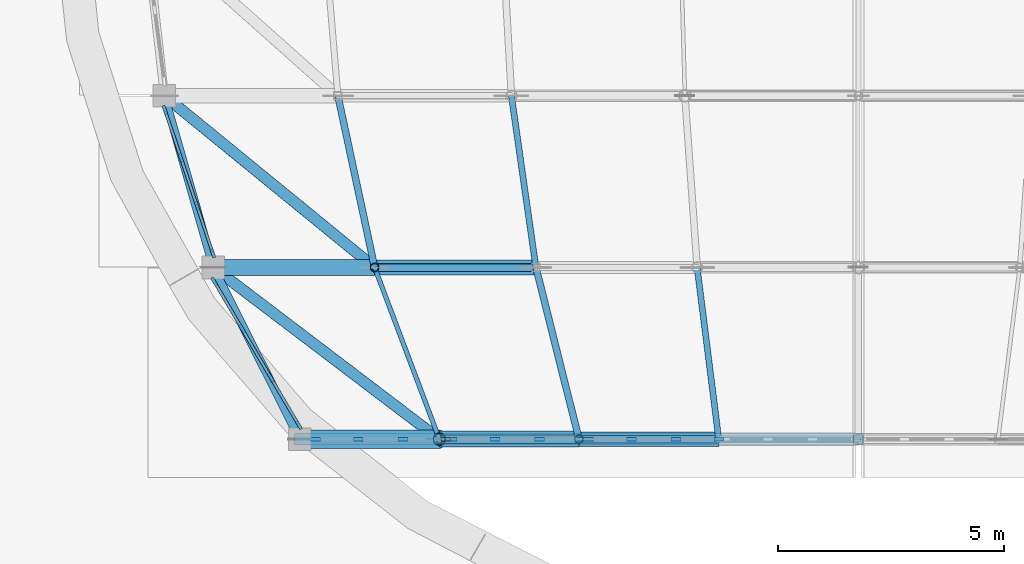
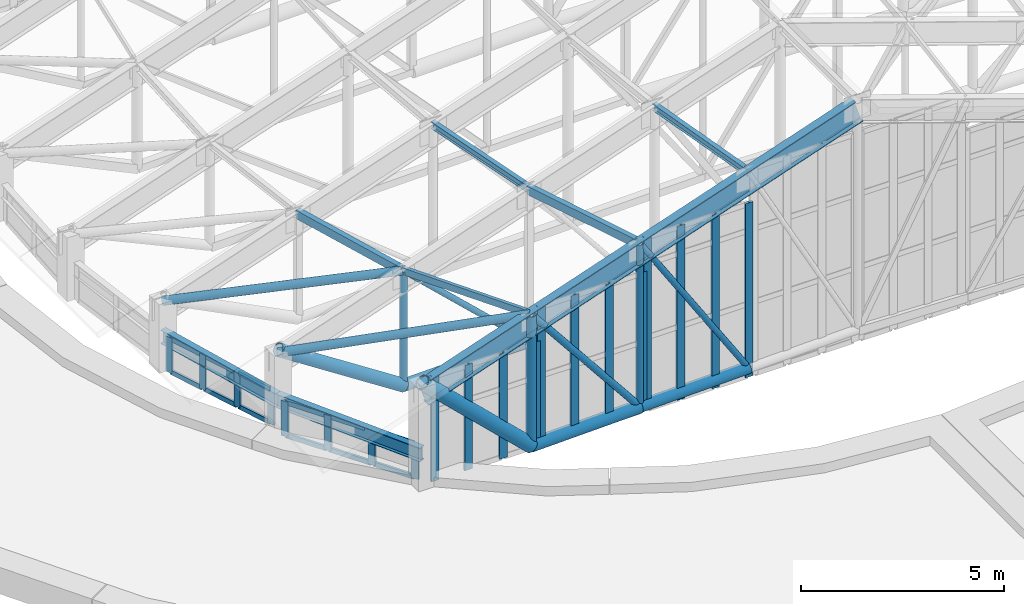
# One storey, part 10 of 105: 50 members, 3 beams, 5 elements without a shape of their own.
"""IFC4 building model written with IfcOpenShell, lengths in metres."""

from ifc_helpers import new_model, si_unit, direction, frame, origin, origin_2d, place, context, subcontext, project, spatial, rectangle, hollow_rectangle, hollow_circle, i_section, extrude, material, material_profile, profile_set, type_object, element, aggregate, save


model = new_model("IFC4")

# Units and contexts
model_context = context("Model", 3, precision=1e-05, world=origin(), true_north=direction((0.0, 1.0)))
body_context = subcontext(model_context, "Body", "Model", "MODEL_VIEW")
ifc_project = project(units=[si_unit("LENGTHUNIT", "METRE"), si_unit("AREAUNIT", "SQUARE_METRE"), si_unit("VOLUMEUNIT", "CUBIC_METRE"), si_unit("PLANEANGLEUNIT", "RADIAN"), si_unit("MASSUNIT", "GRAM", prefix="KILO")], contexts=[model_context])

# Site, building, storey
site_placement = place(None, origin())
site = spatial("IfcSite", under=ifc_project, at=site_placement, CompositionType="ELEMENT")
building_placement = place(site_placement, origin())
building = spatial("IfcBuilding", under=site, at=building_placement, Name="Corveleigh Park Community Centre", CompositionType="ELEMENT")
storey_placement = place(building_placement, frame((0.0, 0.0, 8.699951171875)))
storey = spatial("IfcBuildingStorey", under=building, at=storey_placement, Name="L02", CompositionType="ELEMENT", Elevation=8.699951171875)

# Beams
ifc_material_1 = material(Name="Steel S355", Category="steel")
ifc_material_profile_1 = material_profile(ifc_material_1, i_section(OverallWidth=0.1787109375, OverallDepth=0.409423828125, WebThickness=0.0087890625, FlangeThickness=0.014404296875, at=origin_2d()), Name="UKB 406x178x67", Category="steel")
ifc_profile_set_1 = profile_set([ifc_material_profile_1], Name="Steel S355")
beam_type_1 = type_object("IfcBeamType", Name="BM-STL-UKB406x67", PredefinedType="BEAM", material=ifc_profile_set_1)
beam_1_placement = place(storey_placement, frame((18.6318359375, 15.404541015625, 0.915283203125), z_axis=(-0.448916145361, 0.893573888626, 0.0), x_axis=(-0.893573888626, -0.448916145361, 0.0)))
element("IfcBeam", 1, at=beam_1_placement, inside=storey, type_object=beam_type_1, Name="V1 West Eave Tie Beam", PredefinedType="BEAM", context=body_context, shape_type="SweptSolid", body=[
    extrude(i_section(OverallWidth=0.1787109375, OverallDepth=0.409423828125, WebThickness=0.0087890625, FlangeThickness=0.014404296875, at=origin_2d()), origin(), (0.0, 0.0, 1.0), 4.242431640625),
])
beam_2_placement = place(storey_placement, frame((16.7236328125, 19.204833984375, 0.915283203125), z_axis=(-0.274336604371, 0.961633728351, 0.0), x_axis=(-0.961633728351, -0.274336604371, 0.0)))
element("IfcBeam", 2, at=beam_2_placement, inside=storey, type_object=beam_type_1, Name="V1 West Eave Tie Beam", PredefinedType="BEAM", context=body_context, shape_type="SweptSolid", body=[
    extrude(i_section(OverallWidth=0.1787109375, OverallDepth=0.409423828125, WebThickness=0.0087890625, FlangeThickness=0.014404296875, at=origin_2d()), origin(), (0.0, 0.0, 1.0), 3.94140625),
])
ifc_material_profile_2 = material_profile(ifc_material_1, i_section(OverallWidth=0.253662109375, OverallDepth=0.68359375, WebThickness=0.012451171875, FlangeThickness=0.01904296875, at=origin_2d()), Name="UKB 686x254x140", Category="steel")
ifc_profile_set_2 = profile_set([ifc_material_profile_2], Name="Steel S355")
beam_type_2 = type_object("IfcBeamType", Name="BM-STL-UKB686x140", PredefinedType="BEAM", material=ifc_profile_set_2)
beam_3_placement = place(storey_placement, frame((18.634033203125, 15.39990234375, 2.726318359375), z_axis=(0.946289641438, 0.0, 0.32332014244), x_axis=(0.0, 1.0, 0.0)))
element("IfcBeam", 3, at=beam_3_placement, inside=storey, type_object=beam_type_2, Name="V1 Portal Rafter W1", PredefinedType="BEAM", context=body_context, shape_type="SweptSolid", body=[
    extrude(i_section(OverallWidth=0.253662109375, OverallDepth=0.68359375, WebThickness=0.012451171875, FlangeThickness=0.01904296875, at=origin_2d()), origin(), (0.0, 0.0, 1.0), 13.06787109375),
])

# Curtain wall, members
ifc_material_2 = material(Name="Anodised aluminium 6063-T6", Category="aluminium")
curtain_wall_type_1 = type_object("IfcCurtainWallType", Name="CW-SYS-V1-L00", PredefinedType="NOTDEFINED", material=ifc_material_2)
curtain_wall_1_placement = place(storey_placement, origin())
curtain_wall_1 = element("IfcCurtainWall", 4, at=curtain_wall_1_placement, inside=storey, type_object=curtain_wall_type_1, Name="Main Hall West Eave Clerestory 1", PredefinedType="NOTDEFINED")
ifc_material_profile_3 = material_profile(ifc_material_2, rectangle(XDim=0.070068359375, YDim=0.199951171875, at=origin_2d()), Name="ALU-M70x200", Category="aluminium")
ifc_profile_set_3 = profile_set([ifc_material_profile_3], Name="Anodised aluminium 6063-T6")
member_type_1 = type_object("IfcMemberType", Name="CWM-70x200", PredefinedType="MULLION", material=ifc_profile_set_3)
member_1_placement = place(storey_placement, frame((18.6162109375, 15.710205078125, 0.0), z_axis=(0.0, 0.0, 1.0), x_axis=(-0.861571691471, -0.507635913283, 0.0)))
member_1 = element("IfcMember", 5, at=member_1_placement, type_object=member_type_1, Name="CW01 mullion 1", PredefinedType="MULLION", context=body_context, shape_type="SweptSolid", body=[
    extrude(rectangle(XDim=0.070068359375, YDim=0.199951171875, at=origin_2d()), origin(), (0.0, 0.0, 1.0), 1.06005859375),
])
member_2_placement = place(storey_placement, frame((17.99755859375, 16.760009765625, 0.0), z_axis=(0.0, 0.0, 1.0), x_axis=(-0.861571691471, -0.507635913283, 0.0)))
member_2 = element("IfcMember", 6, at=member_2_placement, type_object=member_type_1, Name="CW01 mullion 2", PredefinedType="MULLION", context=body_context, shape_type="SweptSolid", body=[
    extrude(rectangle(XDim=0.070068359375, YDim=0.199951171875, at=origin_2d()), origin(), (0.0, 0.0, 1.0), 1.06005859375),
])
member_3_placement = place(storey_placement, frame((17.361328125, 17.840087890625, 0.0), z_axis=(0.0, 0.0, 1.0), x_axis=(-0.861571691471, -0.507635913283, 0.0)))
member_3 = element("IfcMember", 7, at=member_3_placement, type_object=member_type_1, Name="CW01 mullion 3", PredefinedType="MULLION", context=body_context, shape_type="SweptSolid", body=[
    extrude(rectangle(XDim=0.070068359375, YDim=0.199951171875, at=origin_2d()), origin(), (0.0, 0.0, 1.0), 1.06005859375),
])
member_4_placement = place(storey_placement, frame((16.74267578125, 18.889892578125, 0.0), z_axis=(0.0, 0.0, 1.0), x_axis=(-0.861571691471, -0.507635913283, 0.0)))
member_4 = element("IfcMember", 8, at=member_4_placement, type_object=member_type_1, Name="CW01 mullion 4", PredefinedType="MULLION", context=body_context, shape_type="SweptSolid", body=[
    extrude(rectangle(XDim=0.070068359375, YDim=0.199951171875, at=origin_2d()), origin(), (0.0, 0.0, 1.0), 1.06005859375),
])

curtain_wall_2_placement = place(storey_placement, origin())
curtain_wall_2 = element("IfcCurtainWall", 9, at=curtain_wall_2_placement, inside=storey, type_object=curtain_wall_type_1, Name="Main Hall West Eave Clerestory 2", PredefinedType="NOTDEFINED")
member_5_placement = place(storey_placement, frame((16.7138671875, 19.51318359375, 0.0), z_axis=(0.0, 0.0, 1.0), x_axis=(-0.948331478998, -0.317281272599, 0.0)))
member_5 = element("IfcMember", 10, at=member_5_placement, type_object=member_type_1, Name="CW01 mullion 1", PredefinedType="MULLION", context=body_context, shape_type="SweptSolid", body=[
    extrude(rectangle(XDim=0.070068359375, YDim=0.199951171875, at=origin_2d()), origin(), (0.0, 0.0, 1.0), 1.06005859375),
])
member_6_placement = place(storey_placement, frame((16.36376953125, 20.56005859375, 0.0), z_axis=(0.0, 0.0, 1.0), x_axis=(-0.948331478998, -0.317281272599, 0.0)))
member_6 = element("IfcMember", 11, at=member_6_placement, type_object=member_type_1, Name="CW01 mullion 2", PredefinedType="MULLION", context=body_context, shape_type="SweptSolid", body=[
    extrude(rectangle(XDim=0.070068359375, YDim=0.199951171875, at=origin_2d()), origin(), (0.0, 0.0, 1.0), 1.06005859375),
])
member_7_placement = place(storey_placement, frame((16.00244140625, 21.639892578125, 0.0), z_axis=(0.0, 0.0, 1.0), x_axis=(-0.948331478998, -0.317281272599, 0.0)))
member_7 = element("IfcMember", 12, at=member_7_placement, type_object=member_type_1, Name="CW01 mullion 3", PredefinedType="MULLION", context=body_context, shape_type="SweptSolid", body=[
    extrude(rectangle(XDim=0.070068359375, YDim=0.199951171875, at=origin_2d()), origin(), (0.0, 0.0, 1.0), 1.06005859375),
])
member_8_placement = place(storey_placement, frame((15.652099609375, 22.686767578125, 0.0), z_axis=(0.0, 0.0, 1.0), x_axis=(-0.948331478998, -0.317281272599, 0.0)))
member_8 = element("IfcMember", 13, at=member_8_placement, type_object=member_type_1, Name="CW01 mullion 4", PredefinedType="MULLION", context=body_context, shape_type="SweptSolid", body=[
    extrude(rectangle(XDim=0.070068359375, YDim=0.199951171875, at=origin_2d()), origin(), (0.0, 0.0, 1.0), 1.06005859375),
])

curtain_wall_type_2 = type_object("IfcCurtainWallType", Name="CW-SYS-V1-DRUM", PredefinedType="NOTDEFINED", material=ifc_material_2)
curtain_wall_3_placement = place(storey_placement, origin())
curtain_wall_3 = element("IfcCurtainWall", 14, at=curtain_wall_3_placement, inside=storey, type_object=curtain_wall_type_2, Name="Main Hall S Gable Clerestory 1", PredefinedType="NOTDEFINED")
ifc_material_profile_4 = material_profile(ifc_material_2, rectangle(XDim=0.074951171875, YDim=0.219970703125, at=origin_2d()), Name="ALU-M75x220", Category="aluminium")
ifc_profile_set_4 = profile_set([ifc_material_profile_4], Name="Anodised aluminium 6063-T6")
member_type_2 = type_object("IfcMemberType", Name="CWM-75x220", PredefinedType="MULLION", material=ifc_profile_set_4)
member_9_placement = place(storey_placement, frame((18.9814453125, 15.39990234375, 0.0), z_axis=(0.0, 0.0, 1.0), x_axis=(0.0, 1.0, 0.0)))
member_9 = element("IfcMember", 15, at=member_9_placement, type_object=member_type_2, Name="CW02 mullion 1", PredefinedType="MULLION", context=body_context, shape_type="SweptSolid", body=[
    extrude(rectangle(XDim=0.074951171875, YDim=0.219970703125, at=origin_2d()), origin(), (0.0, 0.0, 1.0), 3.171142578125),
])
member_10_placement = place(storey_placement, frame((19.930908203125, 15.39990234375, 0.0), z_axis=(0.0, 0.0, 1.0), x_axis=(0.0, 1.0, 0.0)))
member_10 = element("IfcMember", 16, at=member_10_placement, type_object=member_type_2, Name="CW02 mullion 2", PredefinedType="MULLION", context=body_context, shape_type="SweptSolid", body=[
    extrude(rectangle(XDim=0.074951171875, YDim=0.219970703125, at=origin_2d()), origin(), (0.0, 0.0, 1.0), 3.171142578125),
])
member_11_placement = place(storey_placement, frame((20.91796875, 15.39990234375, 0.0), z_axis=(0.0, 0.0, 1.0), x_axis=(0.0, 1.0, 0.0)))
member_11 = element("IfcMember", 17, at=member_11_placement, type_object=member_type_2, Name="CW02 mullion 3", PredefinedType="MULLION", context=body_context, shape_type="SweptSolid", body=[
    extrude(rectangle(XDim=0.074951171875, YDim=0.219970703125, at=origin_2d()), origin(), (0.0, 0.0, 1.0), 3.171142578125),
])
member_12_placement = place(storey_placement, frame((21.867431640625, 15.39990234375, 0.0), z_axis=(0.0, 0.0, 1.0), x_axis=(0.0, 1.0, 0.0)))
member_12 = element("IfcMember", 18, at=member_12_placement, type_object=member_type_2, Name="CW02 mullion 4", PredefinedType="MULLION", context=body_context, shape_type="SweptSolid", body=[
    extrude(rectangle(XDim=0.074951171875, YDim=0.219970703125, at=origin_2d()), origin(), (0.0, 0.0, 1.0), 3.171142578125),
])
aggregate(curtain_wall_3, [member_9, member_10, member_11, member_12])

curtain_wall_4_placement = place(storey_placement, origin())
curtain_wall_4 = element("IfcCurtainWall", 19, at=curtain_wall_4_placement, inside=storey, type_object=curtain_wall_type_2, Name="Main Hall S Gable Clerestory 2", PredefinedType="NOTDEFINED")
member_13_placement = place(storey_placement, frame((22.00341796875, 15.39990234375, 0.0), z_axis=(0.0, 0.0, 1.0), x_axis=(0.0, 1.0, 0.0)))
member_13 = element("IfcMember", 20, at=member_13_placement, type_object=member_type_2, Name="CW02 mullion 1", PredefinedType="MULLION", context=body_context, shape_type="SweptSolid", body=[
    extrude(rectangle(XDim=0.074951171875, YDim=0.219970703125, at=origin_2d()), origin(), (0.0, 0.0, 1.0), 4.203125),
])
member_14_placement = place(storey_placement, frame((22.952880859375, 15.39990234375, 0.0), z_axis=(0.0, 0.0, 1.0), x_axis=(0.0, 1.0, 0.0)))
member_14 = element("IfcMember", 21, at=member_14_placement, type_object=member_type_2, Name="CW02 mullion 2", PredefinedType="MULLION", context=body_context, shape_type="SweptSolid", body=[
    extrude(rectangle(XDim=0.074951171875, YDim=0.219970703125, at=origin_2d()), origin(), (0.0, 0.0, 1.0), 4.203125),
])
member_15_placement = place(storey_placement, frame((23.93994140625, 15.39990234375, 0.0), z_axis=(0.0, 0.0, 1.0), x_axis=(0.0, 1.0, 0.0)))
member_15 = element("IfcMember", 22, at=member_15_placement, type_object=member_type_2, Name="CW02 mullion 3", PredefinedType="MULLION", context=body_context, shape_type="SweptSolid", body=[
    extrude(rectangle(XDim=0.074951171875, YDim=0.219970703125, at=origin_2d()), origin(), (0.0, 0.0, 1.0), 4.203125),
])
member_16_placement = place(storey_placement, frame((24.889404296875, 15.39990234375, 0.0), z_axis=(0.0, 0.0, 1.0), x_axis=(0.0, 1.0, 0.0)))
member_16 = element("IfcMember", 23, at=member_16_placement, type_object=member_type_2, Name="CW02 mullion 4", PredefinedType="MULLION", context=body_context, shape_type="SweptSolid", body=[
    extrude(rectangle(XDim=0.074951171875, YDim=0.219970703125, at=origin_2d()), origin(), (0.0, 0.0, 1.0), 4.203125),
])
aggregate(curtain_wall_4, [member_13, member_14, member_15, member_16])

curtain_wall_5_placement = place(storey_placement, origin())
curtain_wall_5 = element("IfcCurtainWall", 24, at=curtain_wall_5_placement, inside=storey, type_object=curtain_wall_type_2, Name="Main Hall S Gable Clerestory 3", PredefinedType="NOTDEFINED")
member_17_placement = place(storey_placement, frame((25.0244140625, 15.39990234375, 0.0), z_axis=(0.0, 0.0, 1.0), x_axis=(0.0, 1.0, 0.0)))
member_17 = element("IfcMember", 25, at=member_17_placement, type_object=member_type_2, Name="CW02 mullion 1", PredefinedType="MULLION", context=body_context, shape_type="SweptSolid", body=[
    extrude(rectangle(XDim=0.074951171875, YDim=0.219970703125, at=origin_2d()), origin(), (0.0, 0.0, 1.0), 5.236083984375),
])
member_18_placement = place(storey_placement, frame((25.97412109375, 15.39990234375, 0.0), z_axis=(0.0, 0.0, 1.0), x_axis=(0.0, 1.0, 0.0)))
member_18 = element("IfcMember", 26, at=member_18_placement, type_object=member_type_2, Name="CW02 mullion 2", PredefinedType="MULLION", context=body_context, shape_type="SweptSolid", body=[
    extrude(rectangle(XDim=0.074951171875, YDim=0.219970703125, at=origin_2d()), origin(), (0.0, 0.0, 1.0), 5.236083984375),
])
member_19_placement = place(storey_placement, frame((26.9609375, 15.39990234375, 0.0), z_axis=(0.0, 0.0, 1.0), x_axis=(0.0, 1.0, 0.0)))
member_19 = element("IfcMember", 27, at=member_19_placement, type_object=member_type_2, Name="CW02 mullion 3", PredefinedType="MULLION", context=body_context, shape_type="SweptSolid", body=[
    extrude(rectangle(XDim=0.074951171875, YDim=0.219970703125, at=origin_2d()), origin(), (0.0, 0.0, 1.0), 5.236083984375),
])
member_20_placement = place(storey_placement, frame((27.910400390625, 15.39990234375, 0.0), z_axis=(0.0, 0.0, 1.0), x_axis=(0.0, 1.0, 0.0)))
member_20 = element("IfcMember", 28, at=member_20_placement, type_object=member_type_2, Name="CW02 mullion 4", PredefinedType="MULLION", context=body_context, shape_type="SweptSolid", body=[
    extrude(rectangle(XDim=0.074951171875, YDim=0.219970703125, at=origin_2d()), origin(), (0.0, 0.0, 1.0), 5.236083984375),
])
aggregate(curtain_wall_5, [member_17, member_18, member_19, member_20])

# Member
ifc_material_profile_5 = material_profile(ifc_material_2, rectangle(XDim=0.06494140625, YDim=0.139892578125, at=origin_2d()), Name="ALU-T65x140", Category="aluminium")
ifc_profile_set_5 = profile_set([ifc_material_profile_5], Name="Anodised aluminium 6063-T6")
member_type_3 = type_object("IfcMemberType", Name="CWT-65x140", PredefinedType="USERDEFINED", material=ifc_profile_set_5)
member_21_placement = place(storey_placement, frame((18.598388671875, 15.740234375, 0.032470703125), z_axis=(-0.50763313722, 0.861573327115, 0.0), x_axis=(-0.861573327115, -0.50763313722, 0.0)))
member_21 = element("IfcMember", 29, at=member_21_placement, type_object=member_type_3, Name="CW01 transom 1.1", ObjectType="TRANSOM", PredefinedType="USERDEFINED", context=body_context, shape_type="SweptSolid", body=[
    extrude(rectangle(XDim=0.06494140625, YDim=0.139892578125, at=origin_2d()), origin(), (0.0, 0.0, 1.0), 1.1484375),
])

member_22_placement = place(storey_placement, frame((18.598388671875, 15.740234375, 1.027587890625), z_axis=(-0.50763313722, 0.861573327115, 0.0), x_axis=(-0.861573327115, -0.50763313722, 0.0)))
member_22 = element("IfcMember", 30, at=member_22_placement, type_object=member_type_3, Name="CW01 transom 1.2", ObjectType="TRANSOM", PredefinedType="USERDEFINED", context=body_context, shape_type="SweptSolid", body=[
    extrude(rectangle(XDim=0.06494140625, YDim=0.139892578125, at=origin_2d()), origin(), (0.0, 0.0, 1.0), 1.1484375),
])

member_23_placement = place(storey_placement, frame((17.97998046875, 16.7900390625, 0.032470703125), z_axis=(-0.507623957149, 0.861578735884, 0.0), x_axis=(-0.861578735884, -0.507623957149, 0.0)))
member_23 = element("IfcMember", 31, at=member_23_placement, type_object=member_type_3, Name="CW01 transom 2.1", ObjectType="TRANSOM", PredefinedType="USERDEFINED", context=body_context, shape_type="SweptSolid", body=[
    extrude(rectangle(XDim=0.06494140625, YDim=0.139892578125, at=origin_2d()), origin(), (0.0, 0.0, 1.0), 1.18359375),
])

member_24_placement = place(storey_placement, frame((17.97998046875, 16.7900390625, 1.027587890625), z_axis=(-0.507623957149, 0.861578735884, 0.0), x_axis=(-0.861578735884, -0.507623957149, 0.0)))
member_24 = element("IfcMember", 32, at=member_24_placement, type_object=member_type_3, Name="CW01 transom 2.2", ObjectType="TRANSOM", PredefinedType="USERDEFINED", context=body_context, shape_type="SweptSolid", body=[
    extrude(rectangle(XDim=0.06494140625, YDim=0.139892578125, at=origin_2d()), origin(), (0.0, 0.0, 1.0), 1.18359375),
])

member_25_placement = place(storey_placement, frame((17.343505859375, 17.8701171875, 0.032470703125), z_axis=(-0.50763313722, 0.861573327115, 0.0), x_axis=(-0.861573327115, -0.50763313722, 0.0)))
member_25 = element("IfcMember", 33, at=member_25_placement, type_object=member_type_3, Name="CW01 transom 3.1", ObjectType="TRANSOM", PredefinedType="USERDEFINED", context=body_context, shape_type="SweptSolid", body=[
    extrude(rectangle(XDim=0.06494140625, YDim=0.139892578125, at=origin_2d()), origin(), (0.0, 0.0, 1.0), 1.1484375),
])

member_26_placement = place(storey_placement, frame((17.343505859375, 17.8701171875, 1.027587890625), z_axis=(-0.50763313722, 0.861573327115, 0.0), x_axis=(-0.861573327115, -0.50763313722, 0.0)))
member_26 = element("IfcMember", 34, at=member_26_placement, type_object=member_type_3, Name="CW01 transom 3.2", ObjectType="TRANSOM", PredefinedType="USERDEFINED", context=body_context, shape_type="SweptSolid", body=[
    extrude(rectangle(XDim=0.06494140625, YDim=0.139892578125, at=origin_2d()), origin(), (0.0, 0.0, 1.0), 1.1484375),
])

aggregate(curtain_wall_1, [member_1, member_2, member_3, member_4, member_21, member_22, member_23, member_24, member_25, member_26])

member_27_placement = place(storey_placement, frame((16.702880859375, 19.54638671875, 0.032470703125), z_axis=(-0.317360972368, 0.948304810289, 0.0), x_axis=(-0.948304810289, -0.317360972368, 0.0)))
member_27 = element("IfcMember", 35, at=member_27_placement, type_object=member_type_3, Name="CW01 transom 1.1", ObjectType="TRANSOM", PredefinedType="USERDEFINED", context=body_context, shape_type="SweptSolid", body=[
    extrude(rectangle(XDim=0.06494140625, YDim=0.139892578125, at=origin_2d()), origin(), (0.0, 0.0, 1.0), 1.033935546875),
])

member_28_placement = place(storey_placement, frame((16.702880859375, 19.54638671875, 1.027587890625), z_axis=(-0.317360972368, 0.948304810289, 0.0), x_axis=(-0.948304810289, -0.317360972368, 0.0)))
member_28 = element("IfcMember", 36, at=member_28_placement, type_object=member_type_3, Name="CW01 transom 1.2", ObjectType="TRANSOM", PredefinedType="USERDEFINED", context=body_context, shape_type="SweptSolid", body=[
    extrude(rectangle(XDim=0.06494140625, YDim=0.139892578125, at=origin_2d()), origin(), (0.0, 0.0, 1.0), 1.033935546875),
])

member_29_placement = place(storey_placement, frame((16.3525390625, 20.59326171875, 0.032470703125), z_axis=(-0.317324139258, 0.948317136112, 0.0), x_axis=(-0.948317136112, -0.317324139258, 0.0)))
member_29 = element("IfcMember", 37, at=member_29_placement, type_object=member_type_3, Name="CW01 transom 2.1", ObjectType="TRANSOM", PredefinedType="USERDEFINED", context=body_context, shape_type="SweptSolid", body=[
    extrude(rectangle(XDim=0.06494140625, YDim=0.139892578125, at=origin_2d()), origin(), (0.0, 0.0, 1.0), 1.068603515625),
])

member_30_placement = place(storey_placement, frame((16.3525390625, 20.59326171875, 1.027587890625), z_axis=(-0.317324139258, 0.948317136112, 0.0), x_axis=(-0.948317136112, -0.317324139258, 0.0)))
member_30 = element("IfcMember", 38, at=member_30_placement, type_object=member_type_3, Name="CW01 transom 2.2", ObjectType="TRANSOM", PredefinedType="USERDEFINED", context=body_context, shape_type="SweptSolid", body=[
    extrude(rectangle(XDim=0.06494140625, YDim=0.139892578125, at=origin_2d()), origin(), (0.0, 0.0, 1.0), 1.068603515625),
])

member_31_placement = place(storey_placement, frame((15.9912109375, 21.673095703125, 0.032470703125), z_axis=(-0.317148599532, 0.948375856828, 0.0), x_axis=(-0.948375856828, -0.317148599532, 0.0)))
member_31 = element("IfcMember", 39, at=member_31_placement, type_object=member_type_3, Name="CW01 transom 3.1", ObjectType="TRANSOM", PredefinedType="USERDEFINED", context=body_context, shape_type="SweptSolid", body=[
    extrude(rectangle(XDim=0.06494140625, YDim=0.139892578125, at=origin_2d()), origin(), (0.0, 0.0, 1.0), 1.033935546875),
])

member_32_placement = place(storey_placement, frame((15.9912109375, 21.673095703125, 1.027587890625), z_axis=(-0.317148599532, 0.948375856828, 0.0), x_axis=(-0.948375856828, -0.317148599532, 0.0)))
member_32 = element("IfcMember", 40, at=member_32_placement, type_object=member_type_3, Name="CW01 transom 3.2", ObjectType="TRANSOM", PredefinedType="USERDEFINED", context=body_context, shape_type="SweptSolid", body=[
    extrude(rectangle(XDim=0.06494140625, YDim=0.139892578125, at=origin_2d()), origin(), (0.0, 0.0, 1.0), 1.033935546875),
])

aggregate(curtain_wall_2, [member_5, member_6, member_7, member_8, member_27, member_28, member_29, member_30, member_31, member_32])

# Members
ifc_material_profile_6 = material_profile(ifc_material_1, hollow_circle(Radius=0.084228515625, WallThickness=0.008056640625, at=origin_2d()), Name="CHS 168.3x8.0", Category="steel")
ifc_profile_set_6 = profile_set([ifc_material_profile_6], Name="Steel S355")
member_type_4 = type_object("IfcMemberType", Name="MEM-BRC-CHS168", PredefinedType="BRACE", material=ifc_profile_set_6)
member_33_placement = place(storey_placement, frame((24.81689453125, 15.39990234375, 5.087646484375), z_axis=(0.539499663551, 0.0, -0.841985815218), x_axis=(0.0, 1.0, 0.0)))
element("IfcMember", 41, at=member_33_placement, inside=storey, type_object=member_type_4, Name="V1 Truss T1 Web Diagonal", PredefinedType="BRACE", context=body_context, shape_type="SweptSolid", body=[
    extrude(hollow_circle(Radius=0.084228515625, WallThickness=0.008056640625, at=origin_2d()), origin(), (0.0, 0.0, 1.0), 5.731201171875),
])
member_34_placement = place(storey_placement, frame((20.2939453125, 19.199951171875, 3.542236328125), z_axis=(0.727381468807, 0.0, -0.686233341391), x_axis=(0.0, 1.0, 0.0)))
element("IfcMember", 42, at=member_34_placement, inside=storey, type_object=member_type_4, Name="V1 Truss T2 Web Diagonal", PredefinedType="BRACE", context=body_context, shape_type="SweptSolid", body=[
    extrude(hollow_circle(Radius=0.084228515625, WallThickness=0.008056640625, at=origin_2d()), origin(), (0.0, 0.0, 1.0), 4.90673828125),
])
ifc_material_profile_7 = material_profile(ifc_material_1, hollow_circle(Radius=0.096923828125, WallThickness=0.010009765625, at=origin_2d()), Name="CHS 193.7x10.0", Category="steel")
ifc_profile_set_7 = profile_set([ifc_material_profile_7], Name="Steel S355")
member_type_5 = type_object("IfcMemberType", Name="MEM-BRC-CHS194", PredefinedType="BRACE", material=ifc_profile_set_7)
member_35_placement = place(storey_placement, frame((21.72607421875, 15.39990234375, 4.031494140625), z_axis=(0.625393615063, 0.0, -0.780309442618), x_axis=(0.0, 1.0, 0.0)))
element("IfcMember", 43, at=member_35_placement, inside=storey, type_object=member_type_5, Name="V1 Truss T1 Web Diagonal", PredefinedType="BRACE", context=body_context, shape_type="SweptSolid", body=[
    extrude(hollow_circle(Radius=0.096923828125, WallThickness=0.010009765625, at=origin_2d()), origin(), (0.0, 0.0, 1.0), 4.942138671875),
])
ifc_material_profile_8 = material_profile(ifc_material_1, hollow_circle(Radius=0.161865234375, WallThickness=0.01611328125, at=origin_2d()), Name="CHS 323.9x16.0", Category="steel")
ifc_profile_set_8 = profile_set([ifc_material_profile_8], Name="Steel S355")
member_type_6 = type_object("IfcMemberType", Name="MEM-CHD-CHS324", PredefinedType="CHORD", material=ifc_profile_set_8)
member_36_placement = place(storey_placement, frame((24.81689453125, 15.39990234375, 0.175048828125), z_axis=(0.999605177087, 0.0, 0.028097863643), x_axis=(0.0, 1.0, 0.0)))
element("IfcMember", 44, at=member_36_placement, inside=storey, type_object=member_type_6, Name="V1 Truss T1 Bottom Chord", PredefinedType="CHORD", context=body_context, shape_type="SweptSolid", body=[
    extrude(hollow_circle(Radius=0.161865234375, WallThickness=0.01611328125, at=origin_2d()), origin(), (0.0, 0.0, 1.0), 3.09326171875),
])
member_37_placement = place(storey_placement, frame((20.2939453125, 19.199951171875, 0.087158203125), z_axis=(0.999696930518, 0.0, 0.024618024146), x_axis=(0.0, 1.0, 0.0)))
element("IfcMember", 45, at=member_37_placement, inside=storey, type_object=member_type_6, Name="V1 Truss T2 Bottom Chord", PredefinedType="CHORD", context=body_context, shape_type="SweptSolid", body=[
    extrude(hollow_circle(Radius=0.161865234375, WallThickness=0.01611328125, at=origin_2d()), origin(), (0.0, 0.0, 1.0), 3.570068359375),
])
ifc_material_profile_9 = material_profile(ifc_material_1, hollow_circle(Radius=0.177734375, WallThickness=0.01611328125, at=origin_2d()), Name="CHS 355.6x16.0", Category="steel")
ifc_profile_set_9 = profile_set([ifc_material_profile_9], Name="Steel S355")
member_type_7 = type_object("IfcMemberType", Name="MEM-CHD-CHS356", PredefinedType="CHORD", material=ifc_profile_set_9)
member_38_placement = place(storey_placement, frame((21.72607421875, 15.39990234375, 0.087158203125), z_axis=(0.99959594144, 0.0, 0.02842452914), x_axis=(0.0, 1.0, 0.0)))
element("IfcMember", 46, at=member_38_placement, inside=storey, type_object=member_type_7, Name="V1 Truss T1 Bottom Chord", PredefinedType="CHORD", context=body_context, shape_type="SweptSolid", body=[
    extrude(hollow_circle(Radius=0.177734375, WallThickness=0.01611328125, at=origin_2d()), origin(), (0.0, 0.0, 1.0), 3.092041015625),
])
member_39_placement = place(storey_placement, frame((16.72509765625, 19.199951171875, 2.407958984375), z_axis=(0.838330915726, 0.0, -0.545161696873), x_axis=(0.0, 1.0, 0.0)))
element("IfcMember", 47, at=member_39_placement, inside=storey, type_object=member_type_7, Name="V1 Truss T2 Bottom Chord", PredefinedType="CHORD", context=body_context, shape_type="SweptSolid", body=[
    extrude(hollow_circle(Radius=0.177734375, WallThickness=0.01611328125, at=origin_2d()), origin(), (0.0, 0.0, 1.0), 4.257080078125),
])
ifc_material_profile_10 = material_profile(ifc_material_1, hollow_circle(Radius=0.203125, WallThickness=0.02001953125, at=origin_2d()), Name="CHS 406.4x20.0", Category="steel")
ifc_profile_set_10 = profile_set([ifc_material_profile_10], Name="Steel S355")
member_type_8 = type_object("IfcMemberType", Name="MEM-CHD-CHS406", PredefinedType="CHORD", material=ifc_profile_set_10)
member_40_placement = place(storey_placement, frame((18.634033203125, 15.39990234375, 3.06005859375), z_axis=(0.720858220058, 0.0, -0.693082553939), x_axis=(0.0, 1.0, 0.0)))
element("IfcMember", 48, at=member_40_placement, inside=storey, type_object=member_type_8, Name="V1 Truss T1 Bottom Chord", PredefinedType="CHORD", context=body_context, shape_type="SweptSolid", body=[
    extrude(hollow_circle(Radius=0.203125, WallThickness=0.02001953125, at=origin_2d()), origin(), (0.0, 0.0, 1.0), 4.289306640625),
])
ifc_material_profile_11 = material_profile(ifc_material_1, hollow_rectangle(XDim=0.10009765625, YDim=0.199951171875, WallThickness=0.008056640625, at=origin_2d()), Name="RHS 200x100x8.0", Category="steel")
ifc_profile_set_11 = profile_set([ifc_material_profile_11], Name="Steel S355")
member_type_9 = type_object("IfcMemberType", Name="MEM-PRL-RHS200", PredefinedType="PURLIN", material=ifc_profile_set_11)
member_41_placement = place(storey_placement, frame((21.72607421875, 15.39990234375, 4.034423828125), z_axis=(-0.350126165828, 0.929034055765, -0.119613507726), x_axis=(-0.935752259162, -0.352658063106, 0.0)))
element("IfcMember", 49, at=member_41_placement, inside=storey, type_object=member_type_9, Name="V1 Pitched Roof Purlin", PredefinedType="PURLIN", context=body_context, shape_type="SweptSolid", body=[
    extrude(hollow_rectangle(XDim=0.10009765625, YDim=0.199951171875, WallThickness=0.008056640625, at=origin_2d()), origin(), (0.0, 0.0, 1.0), 4.09033203125),
])
ifc_material_profile_12 = material_profile(ifc_material_1, hollow_rectangle(XDim=0.14990234375, YDim=0.25, WallThickness=0.010009765625, at=origin_2d()), Name="RHS 250x150x10.0", Category="steel")
ifc_profile_set_12 = profile_set([ifc_material_profile_12], Name="Steel S355")
member_type_10 = type_object("IfcMemberType", Name="MEM-PRL-RHS250", PredefinedType="PURLIN", material=ifc_profile_set_12)
member_42_placement = place(storey_placement, frame((24.81689453125, 15.39990234375, 5.0654296875), z_axis=(-0.242621158079, 0.966572389429, -0.082902289745), x_axis=(-0.969911133539, -0.243459222534, 0.0)))
element("IfcMember", 50, at=member_42_placement, inside=storey, type_object=member_type_10, Name="V1 Pitched Roof Purlin", PredefinedType="PURLIN", context=body_context, shape_type="SweptSolid", body=[
    extrude(hollow_rectangle(XDim=0.14990234375, YDim=0.25, WallThickness=0.010009765625, at=origin_2d()), origin(), (0.0, 0.0, 1.0), 3.931396484375),
])
member_43_placement = place(storey_placement, frame((20.2939453125, 19.199951171875, 3.520263671875), z_axis=(-0.208674648664, 0.975381653588, -0.071312837892), x_axis=(-0.97787131541, -0.209207290737, 0.0)))
element("IfcMember", 51, at=member_43_placement, inside=storey, type_object=member_type_10, Name="V1 Pitched Roof Purlin", PredefinedType="PURLIN", context=body_context, shape_type="SweptSolid", body=[
    extrude(hollow_rectangle(XDim=0.14990234375, YDim=0.25, WallThickness=0.010009765625, at=origin_2d()), origin(), (0.0, 0.0, 1.0), 3.89599609375),
])
ifc_material_profile_13 = material_profile(ifc_material_1, i_section(OverallWidth=0.13330078125, OverallDepth=0.203125, WebThickness=0.005615234375, FlangeThickness=0.0078125, at=origin_2d()), Name="UKB 203x133x25", Category="steel")
ifc_profile_set_13 = profile_set([ifc_material_profile_13], Name="Steel S355")
member_type_11 = type_object("IfcMemberType", Name="MEM-PRL-UKB203", PredefinedType="PURLIN", material=ifc_profile_set_13)
member_44_placement = place(storey_placement, frame((27.908935546875, 15.39990234375, 6.145263671875), z_axis=(-0.124698060765, 0.991279527993, -0.042606232202), x_axis=(-0.992180485218, -0.124811396727, 0.0)))
element("IfcMember", 52, at=member_44_placement, inside=storey, type_object=member_type_11, Name="V1 Pitched Roof Purlin", PredefinedType="PURLIN", context=body_context, shape_type="SweptSolid", body=[
    extrude(i_section(OverallWidth=0.13330078125, OverallDepth=0.203125, WebThickness=0.005615234375, FlangeThickness=0.0078125, at=origin_2d()), origin(), (0.0, 0.0, 1.0), 3.83349609375),
])
member_45_placement = place(storey_placement, frame((23.863037109375, 19.199951171875, 4.762939453125), z_axis=(-0.14103450094, 0.988829732944, -0.048218552349), x_axis=(-0.98998127015, -0.141198742032, 0.0)))
element("IfcMember", 53, at=member_45_placement, inside=storey, type_object=member_type_11, Name="V1 Pitched Roof Purlin", PredefinedType="PURLIN", context=body_context, shape_type="SweptSolid", body=[
    extrude(i_section(OverallWidth=0.13330078125, OverallDepth=0.203125, WebThickness=0.005615234375, FlangeThickness=0.0078125, at=origin_2d()), origin(), (0.0, 0.0, 1.0), 3.843017578125),
])
ifc_material_profile_14 = material_profile(ifc_material_1, hollow_circle(Radius=0.096923828125, WallThickness=0.010009765625, at=origin_2d()), Name="CHS 193.7x10.0", Category="steel")
ifc_profile_set_14 = profile_set([ifc_material_profile_14], Name="Steel S355")
member_type_12 = type_object("IfcMemberType", Name="MEM-STR-CHS194I", PredefinedType="STRUT", material=ifc_profile_set_14)
member_46_placement = place(storey_placement, frame((24.81689453125, 15.39990234375, 0.175048828125), z_axis=(0.0, 0.0, 1.0), x_axis=(1.0, 0.0, 0.0)))
element("IfcMember", 54, at=member_46_placement, inside=storey, type_object=member_type_12, Name="V1 Truss T1 Web Post", PredefinedType="STRUT", context=body_context, shape_type="SweptSolid", body=[
    extrude(hollow_circle(Radius=0.096923828125, WallThickness=0.010009765625, at=origin_2d()), origin(), (0.0, 0.0, 1.0), 4.91259765625),
])
member_47_placement = place(storey_placement, frame((20.2939453125, 19.199951171875, 0.087158203125), z_axis=(0.0, 0.0, 1.0), x_axis=(1.0, 0.0, 0.0)))
element("IfcMember", 55, at=member_47_placement, inside=storey, type_object=member_type_12, Name="V1 Truss T2 Web Post", PredefinedType="STRUT", context=body_context, shape_type="SweptSolid", body=[
    extrude(hollow_circle(Radius=0.096923828125, WallThickness=0.010009765625, at=origin_2d()), origin(), (0.0, 0.0, 1.0), 3.455078125),
])
ifc_material_profile_15 = material_profile(ifc_material_1, hollow_circle(Radius=0.122314453125, WallThickness=0.012451171875, at=origin_2d()), Name="CHS 244.5x12.5", Category="steel")
ifc_profile_set_15 = profile_set([ifc_material_profile_15], Name="Steel S355")
member_type_13 = type_object("IfcMemberType", Name="MEM-STR-CHS245", PredefinedType="STRUT", material=ifc_profile_set_15)
member_48_placement = place(storey_placement, frame((21.72607421875, 15.39990234375, 4.031494140625), z_axis=(-0.768291346318, 0.583794903604, -0.262510795395), x_axis=(-0.605013291111, -0.796215371353, 0.0)))
element("IfcMember", 56, at=member_48_placement, inside=storey, type_object=member_type_13, Name="V1 Roof Wind Strut", PredefinedType="STRUT", context=body_context, shape_type="SweptSolid", body=[
    extrude(hollow_circle(Radius=0.122314453125, WallThickness=0.012451171875, at=origin_2d()), origin(), (0.0, 0.0, 1.0), 6.50927734375),
])
member_49_placement = place(storey_placement, frame((20.2939453125, 19.199951171875, 3.542236328125), z_axis=(-0.748736698041, 0.611506281089, -0.255838670251), x_axis=(-0.632558137713, -0.774512880728, 0.0)))
element("IfcMember", 57, at=member_49_placement, inside=storey, type_object=member_type_13, Name="V1 Roof Wind Strut", PredefinedType="STRUT", context=body_context, shape_type="SweptSolid", body=[
    extrude(hollow_circle(Radius=0.122314453125, WallThickness=0.012451171875, at=origin_2d()), origin(), (0.0, 0.0, 1.0), 6.21435546875),
])
ifc_material_profile_16 = material_profile(ifc_material_1, hollow_circle(Radius=0.136474609375, WallThickness=0.012451171875, at=origin_2d()), Name="CHS 273.0x12.5", Category="steel")
ifc_profile_set_16 = profile_set([ifc_material_profile_16], Name="Steel S355")
member_type_14 = type_object("IfcMemberType", Name="MEM-STR-CHS273E", PredefinedType="STRUT", material=ifc_profile_set_16)
member_50_placement = place(storey_placement, frame((21.72607421875, 15.39990234375, 0.087158203125), z_axis=(0.0, 0.0, 1.0), x_axis=(1.0, 0.0, 0.0)))
element("IfcMember", 58, at=member_50_placement, inside=storey, type_object=member_type_14, Name="V1 Truss T1 Web Post", PredefinedType="STRUT", context=body_context, shape_type="SweptSolid", body=[
    extrude(hollow_circle(Radius=0.136474609375, WallThickness=0.012451171875, at=origin_2d()), origin(), (0.0, 0.0, 1.0), 3.9443359375),
])

save(model, "model.ifc")
